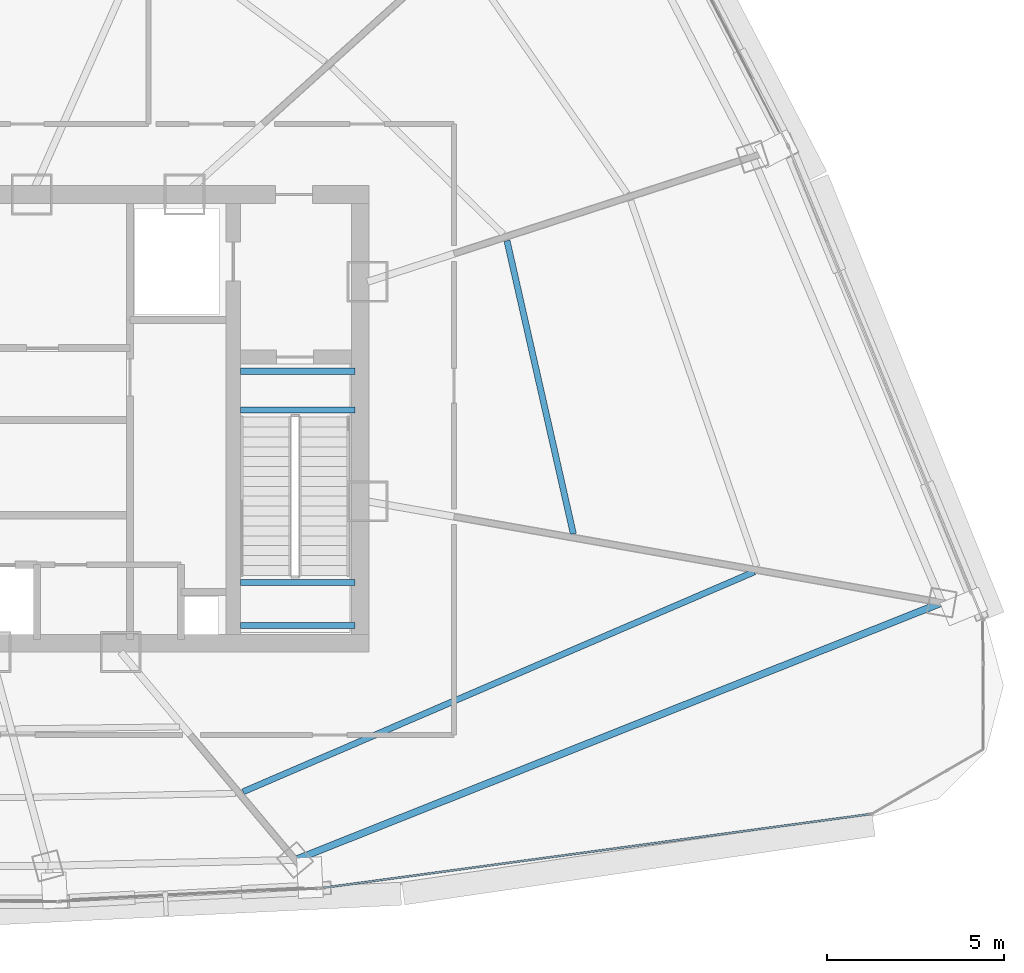
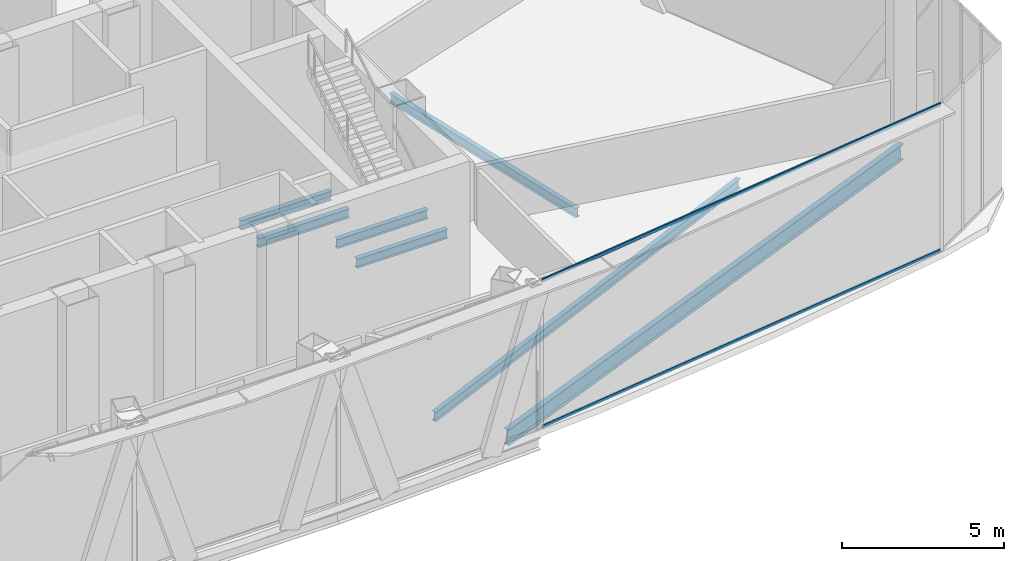
# One storey, part 13 of 33: 7 beams, 2 members, 1 element without a shape of its own.
"""IFC4 building model written with IfcOpenShell, lengths in metres."""

from ifc_helpers import new_model, si_unit, direction, frame, origin, origin_2d, place, context, subcontext, project, spatial, hollow_rectangle, i_section, extrude, source, transform, mapped, material, layer, layer_set, material_profile, profile_set, type_object, element, aggregate, save


model = new_model("IFC4")

# Units and contexts
model_context = context("Model", 3, precision=1e-05, world=origin(), true_north=direction((0.0, 1.0)))
body_context = subcontext(model_context, "Body", "Model", "MODEL_VIEW")
ifc_project = project(units=[si_unit("LENGTHUNIT", "METRE"), si_unit("AREAUNIT", "SQUARE_METRE"), si_unit("VOLUMEUNIT", "CUBIC_METRE"), si_unit("PLANEANGLEUNIT", "RADIAN"), si_unit("MASSUNIT", "GRAM", prefix="KILO"), si_unit("THERMODYNAMICTEMPERATUREUNIT", "KELVIN"), si_unit("POWERUNIT", "WATT")], contexts=[model_context])

# Site, building, storey
site_placement = place(None, origin())
site = spatial("IfcSite", under=ifc_project, at=site_placement, CompositionType="ELEMENT")
building_placement = place(site_placement, origin())
building = spatial("IfcBuilding", under=site, at=building_placement, Name="Yunzhuo Pagoda Commons", CompositionType="ELEMENT")
storey_placement = place(building_placement, frame((0.0, 0.0, 314.860107421875)))
storey = spatial("IfcBuildingStorey", under=building, at=storey_placement, Name="L79", CompositionType="ELEMENT", Elevation=314.860107421875)

# Beams
ifc_material_1 = material(Name="Structural steel Q355B", Category="steel")
ifc_material_profile_1 = material_profile(ifc_material_1, i_section(OverallWidth=0.175048828125, OverallDepth=0.35009765625, WebThickness=0.007080078125, FlangeThickness=0.010986328125, at=origin_2d()), Name="Structural steel Q355B")
ifc_profile_set_1 = profile_set([ifc_material_profile_1], Name="Structural steel Q355B")
beam_type_1 = type_object("IfcBeamType", Name="B-JS2 Joist HN 350x175x7x11", PredefinedType="JOIST", material=ifc_profile_set_1)
shared_shape_1 = source(origin(), body_context, "Body", "SweptSolid", [
    extrude(i_section(OverallWidth=0.175048828125, OverallDepth=0.35009765625, WebThickness=0.007080078125, FlangeThickness=0.010986328125, at=origin_2d()), origin(), (0.0, 0.0, 1.0), 3.25),
])
for number, where, z_axis, x_axis, name in (
    (1, (56.800048828125, 28.0, 2.5498046875), (1.0, 0.0, 0.0), (0.0, 1.0, 0.0), "L79 ST2 landing support beam 85A"),
    (2, (56.800048828125, 29.219970703125, 2.5498046875), (1.0, 0.0, 0.0), (0.0, 1.0, 0.0), "L79 ST2 landing support beam 85B"),
    (3, (56.800048828125, 34.10009765625, -0.375), (1.0, 0.0, 0.0), (0.0, 1.0, 0.0), "L79 ST2 landing support beam 183A"),
    (4, (56.800048828125, 35.199951171875, -0.375), (1.0, 0.0, 0.0), (0.0, 1.0, 0.0), "L79 ST2 landing support beam 183B"),
):
    element("IfcBeam", number, at=place(storey_placement, frame(where, z_axis=z_axis, x_axis=x_axis)), inside=storey, type_object=beam_type_1, Name=name, PredefinedType="JOIST", context=body_context, shape_type="MappedRepresentation", body=[
        mapped(shared_shape_1, transform((0.0, 0.0, 0.0), scale=1.0)),
    ])
ifc_material_profile_2 = material_profile(ifc_material_1, i_section(OverallWidth=0.199951171875, OverallDepth=0.60009765625, WebThickness=0.010986328125, FlangeThickness=0.01708984375, at=origin_2d()), Name="Structural steel Q355B")
ifc_profile_set_2 = profile_set([ifc_material_profile_2], Name="Structural steel Q355B")
beam_type_2 = type_object("IfcBeamType", Name="B-RG3 Beam HN 600x200x11x17", PredefinedType="BEAM", material=ifc_profile_set_2)
shared_shape_2 = source(origin(), body_context, "Body", "SweptSolid", [
    extrude(i_section(OverallWidth=0.199951171875, OverallDepth=0.60009765625, WebThickness=0.010986328125, FlangeThickness=0.01708984375, at=origin_2d()), origin(), (0.0, 0.0, 1.0), 19.7041015625),
])
beam_1_placement = place(storey_placement, frame((58.353515625, 21.361572265625, -0.56005859375), z_axis=(0.929150216007, 0.369702415592, 0.0), x_axis=(-0.369702415592, 0.929150216007, 0.0)))
element("IfcBeam", 5, at=beam_1_placement, inside=storey, type_object=beam_type_2, Name="L79 column-ring beam 4", PredefinedType="BEAM", context=body_context, shape_type="MappedRepresentation", body=[
    mapped(shared_shape_2, transform((0.0, 0.0, 0.0), scale=1.0)),
])
shared_shape_3 = source(origin(), body_context, "Body", "SweptSolid", [
    extrude(i_section(OverallWidth=0.175048828125, OverallDepth=0.35009765625, WebThickness=0.007080078125, FlangeThickness=0.010986328125, at=origin_2d()), origin(), (0.0, 0.0, 1.0), 15.757080078125),
])
beam_2_placement = place(storey_placement, frame((56.8779296875, 23.291259765625, -0.43505859375), z_axis=(0.918592756952, 0.395205448945, 0.0), x_axis=(-0.395205448945, 0.918592756952, 0.0)))
element("IfcBeam", 6, at=beam_2_placement, inside=storey, type_object=beam_type_1, Name="L79 composite ring joist 2.4", PredefinedType="JOIST", context=body_context, shape_type="MappedRepresentation", body=[
    mapped(shared_shape_3, transform((0.0, 0.0, 0.0), scale=1.0)),
])
shared_shape_4 = source(origin(), body_context, "Body", "SweptSolid", [
    extrude(i_section(OverallWidth=0.175048828125, OverallDepth=0.35009765625, WebThickness=0.007080078125, FlangeThickness=0.010986328125, at=origin_2d()), origin(), (0.0, 0.0, 1.0), 8.508544921875),
])
beam_3_placement = place(storey_placement, frame((66.228759765625, 30.593505859375, -0.43505859375), z_axis=(-0.220769003385, 0.975326123481, 0.0), x_axis=(-0.975326123481, -0.220769003385, 0.0)))
element("IfcBeam", 7, at=beam_3_placement, inside=storey, type_object=beam_type_1, Name="L79 composite ring joist 1.5", PredefinedType="JOIST", context=body_context, shape_type="MappedRepresentation", body=[
    mapped(shared_shape_4, transform((0.0, 0.0, 0.0), scale=1.0)),
])

# Curtain wall, members
ifc_material_2 = material(Name="Anodized aluminium 6063-T6", Category="aluminium")
ifc_layer = layer(ifc_material_2, 0.139892578125)
ifc_layer_set = layer_set([ifc_layer], Name="Anodized aluminium 6063-T6")
curtain_wall_type = type_object("IfcCurtainWallType", Name="CW-HI High-Zone Ribbon Curtain Wall", PredefinedType="NOTDEFINED", material=ifc_layer_set)
curtain_wall_placement = place(storey_placement, origin())
curtain_wall = element("IfcCurtainWall", 8, at=curtain_wall_placement, inside=storey, type_object=curtain_wall_type, Name="L79 curtain wall CW-L79-F1B5", PredefinedType="NOTDEFINED")
ifc_material_profile_3 = material_profile(ifc_material_2, hollow_rectangle(XDim=0.054931640625, YDim=0.1201171875, WallThickness=0.00341796875, at=origin_2d()), Name="Anodized aluminium 6063-T6")
ifc_profile_set_3 = profile_set([ifc_material_profile_3], Name="Anodized aluminium 6063-T6")
member_type = type_object("IfcMemberType", Name="CW-HI-T Transom RHS 120x55x3.5", PredefinedType="USERDEFINED", material=ifc_profile_set_3)
shared_shape_5 = source(origin(), body_context, "Body", "SweptSolid", [
    extrude(hollow_rectangle(XDim=0.054931640625, YDim=0.1201171875, WallThickness=0.00341796875, at=origin_2d()), origin(), (0.0, 0.0, 1.0), 15.591796875),
])
member_1_placement = place(storey_placement, frame((59.161865234375, 20.5751953125, 0.02734375), z_axis=(0.991046322825, 0.133518485665, 0.0), x_axis=(-0.133518485665, 0.991046322825, 0.0)))
member_1 = element("IfcMember", 9, at=member_1_placement, type_object=member_type, Name="CW transom 1.1", ObjectType="TRANSOM", PredefinedType="USERDEFINED", context=body_context, shape_type="MappedRepresentation", body=[
    mapped(shared_shape_5, transform((0.0, 0.0, 0.0), scale=1.0)),
])
member_2_placement = place(storey_placement, frame((59.161865234375, 20.5751953125, 5.54248046875), z_axis=(0.991046322825, 0.133518485665, 0.0), x_axis=(-0.133518485665, 0.991046322825, 0.0)))
member_2 = element("IfcMember", 10, at=member_2_placement, type_object=member_type, Name="CW transom 1.2", ObjectType="TRANSOM", PredefinedType="USERDEFINED", context=body_context, shape_type="MappedRepresentation", body=[
    mapped(shared_shape_5, transform((0.0, 0.0, 0.0), scale=1.0)),
])
aggregate(curtain_wall, [member_1, member_2])

save(model, "model.ifc")
